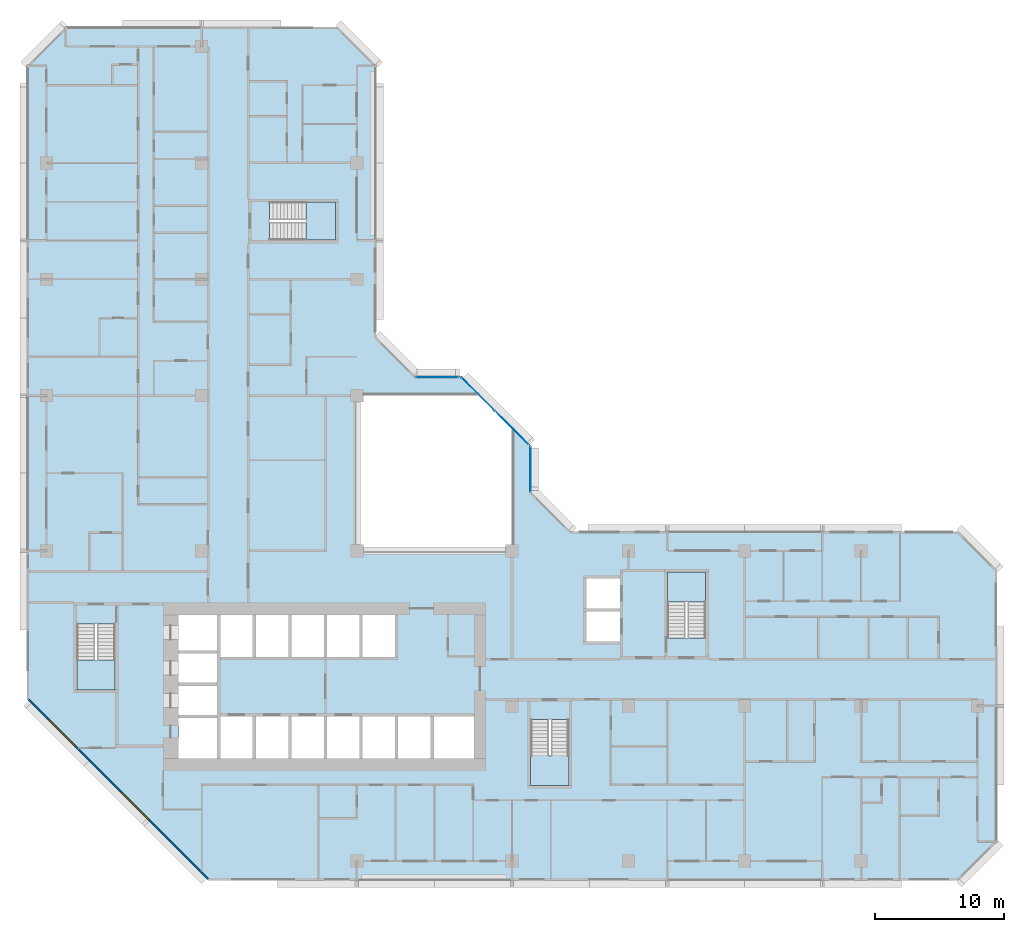
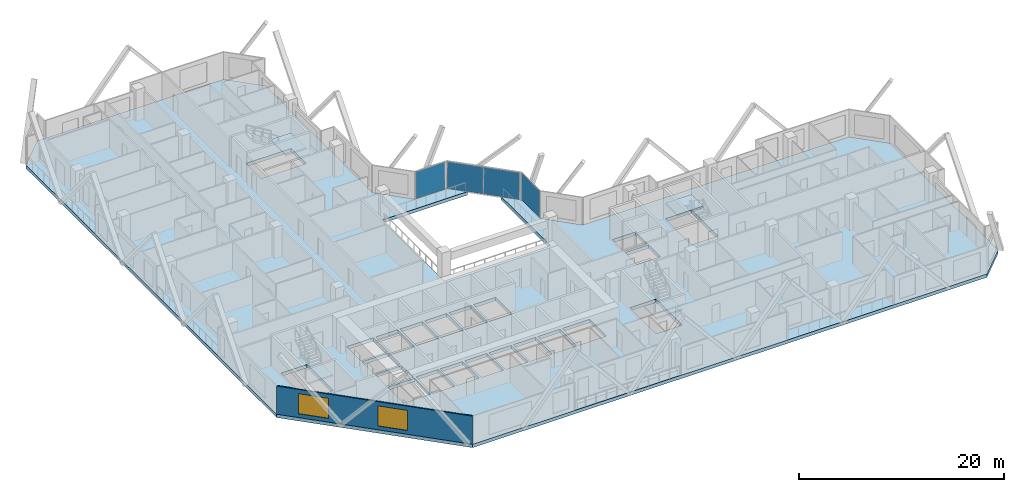
# One storey, part 3 of 15: 5 slabs, 4 plates, 2 windows, 1 wall, 2 openings, 7 elements without a shape of their own.
"""IFC4 building model written with IfcOpenShell, lengths in metres."""

from ifc_helpers import new_model, si_unit, direction, frame, frame_2d, origin, origin_2d, place, context, subcontext, project, spatial, polyline, rectangle, outline, extrude, material, layer, layer_set, type_object, element, fill, aggregate, save


model = new_model("IFC4")

# Units and contexts
model_context = context("Model", 3, precision=1e-05, world=origin(), true_north=direction((0.0, 1.0)))
body_context = subcontext(model_context, "Body", "Model", "MODEL_VIEW")
ifc_project = project(units=[si_unit("LENGTHUNIT", "METRE"), si_unit("AREAUNIT", "SQUARE_METRE"), si_unit("VOLUMEUNIT", "CUBIC_METRE"), si_unit("PLANEANGLEUNIT", "RADIAN"), si_unit("MASSUNIT", "GRAM", prefix="KILO")], contexts=[model_context])

# Site, building, storey
site_placement = place(None, origin())
site = spatial("IfcSite", under=ifc_project, at=site_placement, CompositionType="ELEMENT")
building_placement = place(site_placement, origin())
building = spatial("IfcBuilding", under=site, at=building_placement, Name="Chenar Terraces", CompositionType="ELEMENT")
storey_placement = place(building_placement, frame((0.0, 0.0, 121.89990234375)))
storey = spatial("IfcBuildingStorey", under=building, at=storey_placement, Name="L28", CompositionType="ELEMENT", Elevation=121.89990234375)

# Curtain wall, plate
ifc_material_1 = material(Name="Aluminium framed glazing", Category="aluminium")
ifc_layer_1 = layer(ifc_material_1, 0.14990234375)
ifc_layer_set_1 = layer_set([ifc_layer_1], Name="Aluminium framed glazing")
curtain_wall_type = type_object("IfcCurtainWallType", Name="Atrium curtain wall", PredefinedType="NOTDEFINED", material=ifc_layer_set_1)
placement_1 = place(storey_placement, origin())
curtain_wall_1 = element("IfcCurtainWall", 1, at=placement_1, inside=storey, type_object=curtain_wall_type, Name="Atrium curtain wall", PredefinedType="NOTDEFINED")
ifc_material_2 = material(Name="Low emissivity laminated glass, solar control coating", Category="glass")
ifc_layer_2 = layer(ifc_material_2, 0.028076171875)
ifc_layer_set_2 = layer_set([ifc_layer_2], Name="Low emissivity laminated glass, solar control coating")
plate_type = type_object("IfcPlateType", Name="Atrium glazing panel 28", PredefinedType="CURTAIN_PANEL", material=ifc_layer_set_2)
plate_1_placement = place(storey_placement, frame((37.425048828125, 30.300048828125, 0.06005859375), z_axis=(0.0, 0.0, 1.0), x_axis=(0.0, 1.0, 0.0)))
plate_1 = element("IfcPlate", 2, at=plate_1_placement, type_object=plate_type, Name="CW1-1 panel 1.1", PredefinedType="CURTAIN_PANEL", context=body_context, shape_type="SweptSolid", body=[
    extrude(rectangle(XDim=3.47998046875, YDim=0.028076171875, at=origin_2d()), origin(), (0.0, 0.0, 1.0), 3.22998046875),
])
aggregate(curtain_wall_1, [plate_1])

# Curtain wall, plates
curtain_wall_2 = element("IfcCurtainWall", 3, at=placement_1, inside=storey, type_object=curtain_wall_type, Name="Atrium curtain wall", PredefinedType="NOTDEFINED")
plate_2_placement = place(storey_placement, frame((35.980224609375, 33.513671875, 0.06005859375), z_axis=(0.0, 0.0, 1.0), x_axis=(-0.707106781187, 0.707106781187, 0.0)))
plate_2 = element("IfcPlate", 4, at=plate_2_placement, type_object=plate_type, Name="CW1-2 panel 1.1", PredefinedType="CURTAIN_PANEL", context=body_context, shape_type="SweptSolid", body=[
    extrude(rectangle(XDim=3.62841796875, YDim=0.028076171875, at=origin_2d()), origin(), (0.0, 0.0, 1.0), 3.22998046875),
])
plate_3_placement = place(storey_placement, frame((33.3720703125, 36.121826171875, 0.06005859375), z_axis=(0.0, 0.0, 1.0), x_axis=(-0.707106781187, 0.707106781187, 0.0)))
plate_3 = element("IfcPlate", 5, at=plate_3_placement, type_object=plate_type, Name="CW1-2 panel 2.1", PredefinedType="CURTAIN_PANEL", context=body_context, shape_type="SweptSolid", body=[
    extrude(rectangle(XDim=3.62841796875, YDim=0.028076171875, at=origin_2d()), origin(), (0.0, 0.0, 1.0), 3.22998046875),
])
aggregate(curtain_wall_2, [plate_2, plate_3])

# Curtain wall, plate
curtain_wall_3 = element("IfcCurtainWall", 6, at=placement_1, inside=storey, type_object=curtain_wall_type, Name="Atrium curtain wall", PredefinedType="NOTDEFINED")
plate_4_placement = place(storey_placement, frame((30.199951171875, 37.425048828125, 0.06005859375), z_axis=(0.0, 0.0, 1.0), x_axis=(-1.0, 0.0, 0.0)))
plate_4 = element("IfcPlate", 7, at=plate_4_placement, type_object=plate_type, Name="CW1-3 panel 1.1", PredefinedType="CURTAIN_PANEL", context=body_context, shape_type="SweptSolid", body=[
    extrude(rectangle(XDim=3.280029296875, YDim=0.028076171875, at=origin_2d()), origin(), (0.0, 0.0, 1.0), 3.22998046875),
])
aggregate(curtain_wall_3, [plate_4])

# Stair, slab
ifc_material_3 = material(Name="Reinforced concrete C40/50", Category="concrete")
stair_type = type_object("IfcStairType", Name="Core stair 1400 half-turn", PredefinedType="HALF_TURN_STAIR", material=ifc_material_3)
stair_1 = element("IfcStair", 8, at=placement_1, inside=storey, type_object=stair_type, Name="L28 Stair 1", PredefinedType="HALF_TURN_STAIR")
ifc_material_4 = material(Name="Reinforced concrete C40/50", Category="concrete")
ifc_layer_3 = layer(ifc_material_4, 0.199951171875)
ifc_layer_set_3 = layer_set([ifc_layer_3], Name="Reinforced concrete C40/50")
slab_type_1 = type_object("IfcSlabType", Name="Core stair landing 200", PredefinedType="LANDING", material=ifc_layer_set_3)
placement_2 = place(storey_placement, frame((0.0, 0.0, 1.675048828125)))
slab_1 = element("IfcSlab", 9, at=placement_2, type_object=slab_type_1, Name="ST1 landing 1", PredefinedType="LANDING", context=body_context, shape_type="SweptSolid", body=[
    extrude(outline(polyline([(2.35009765625, 15.550048828125), (2.35009765625, 13.25), (5.300048828125, 13.25), (5.300048828125, 15.550048828125), (2.35009765625, 15.550048828125)])), origin(), (0.0, 0.0, 1.0), 0.199951171875),
])
aggregate(stair_1, [slab_1])

stair_2 = element("IfcStair", 10, at=placement_1, inside=storey, type_object=stair_type, Name="L28 Stair 2", PredefinedType="HALF_TURN_STAIR")
slab_2 = element("IfcSlab", 11, at=placement_2, type_object=slab_type_1, Name="ST2 landing 1", PredefinedType="LANDING", context=body_context, shape_type="SweptSolid", body=[
    extrude(outline(polyline([(37.449951171875, 8.14990234375), (37.449951171875, 5.85009765625), (40.39990234375, 5.85009765625), (40.39990234375, 8.14990234375), (37.449951171875, 8.14990234375)])), origin(), (0.0, 0.0, 1.0), 0.199951171875),
])
aggregate(stair_2, [slab_2])

stair_3 = element("IfcStair", 12, at=placement_1, inside=storey, type_object=stair_type, Name="L28 Stair 3", PredefinedType="HALF_TURN_STAIR")
slab_3 = element("IfcSlab", 13, at=placement_2, type_object=slab_type_1, Name="ST3 landing 1", PredefinedType="LANDING", context=body_context, shape_type="SweptSolid", body=[
    extrude(outline(polyline([(50.97509765625, 20.050048828125), (50.97509765625, 22.35009765625), (48.02490234375, 22.35009765625), (48.02490234375, 20.050048828125), (50.97509765625, 20.050048828125)])), origin(), (0.0, 0.0, 1.0), 0.199951171875),
])
aggregate(stair_3, [slab_3])

stair_4 = element("IfcStair", 14, at=placement_1, inside=storey, type_object=stair_type, Name="L28 Stair 4", PredefinedType="HALF_TURN_STAIR")
slab_4 = element("IfcSlab", 15, at=placement_2, type_object=slab_type_1, Name="ST4 landing 1", PredefinedType="LANDING", context=body_context, shape_type="SweptSolid", body=[
    extrude(outline(polyline([(20.050048828125, 48.02490234375), (22.35009765625, 48.02490234375), (22.35009765625, 50.97509765625), (20.050048828125, 50.97509765625), (20.050048828125, 48.02490234375)])), origin(), (0.0, 0.0, 1.0), 0.199951171875),
])
aggregate(stair_4, [slab_4])

# Slab
ifc_material_5 = material(Name="Concrete C40/50", Category="concrete")
ifc_layer_4 = layer(ifc_material_5, 0.39990234375)
ifc_layer_set_4 = layer_set([ifc_layer_4], Name="Concrete C40/50")
slab_type_2 = type_object("IfcSlabType", Name="Floor slab 400 Concrete C40/50", PredefinedType="FLOOR", material=ifc_layer_set_4)
slab_5_placement = place(storey_placement, frame((0.0, 0.0, -0.39990234375)))
element("IfcSlab", 16, at=slab_5_placement, inside=storey, type_object=slab_type_2, Name="Floor slab L28", PredefinedType="FLOOR", context=body_context, shape_type="SweptSolid", body=[
    extrude(outline(polyline([(73.5, 22.5), (73.5, 1.5), (70.5, -1.5), (12.5, -1.5), (-1.5, 12.5), (-1.5, 61.5), (1.5, 64.5), (22.5, 64.5), (25.5, 61.5), (25.5, 40.5), (28.5, 37.5), (32.10009765625, 37.5), (33.60009765625, 36.0), (24.0, 36.0), (24.0, 24.0), (36.0, 24.0), (36.0, 33.60009765625), (37.5, 32.10009765625), (37.5, 28.5), (40.5, 25.5), (70.5, 25.5), (73.5, 22.5)]), holes=[polyline([(13.199951171875, 11.050048828125), (10.199951171875, 11.050048828125), (10.199951171875, 7.949951171875), (13.199951171875, 7.949951171875), (13.199951171875, 11.050048828125)]), polyline([(15.949951171875, 11.199951171875), (13.449951171875, 11.199951171875), (13.449951171875, 7.949951171875), (15.949951171875, 7.949951171875), (15.949951171875, 11.199951171875)]), polyline([(18.699951171875, 11.199951171875), (16.199951171875, 11.199951171875), (16.199951171875, 7.949951171875), (18.699951171875, 7.949951171875), (18.699951171875, 11.199951171875)]), polyline([(21.449951171875, 7.949951171875), (21.449951171875, 11.199951171875), (18.949951171875, 11.199951171875), (18.949951171875, 7.949951171875), (21.449951171875, 7.949951171875)]), polyline([(13.199951171875, 11.300048828125), (13.199951171875, 13.550048828125), (10.199951171875, 13.550048828125), (10.199951171875, 11.300048828125), (13.199951171875, 11.300048828125)]), polyline([(13.199951171875, 16.050048828125), (10.199951171875, 16.050048828125), (10.199951171875, 13.800048828125), (13.199951171875, 13.800048828125), (13.199951171875, 16.050048828125)]), polyline([(2.35009765625, 18.35009765625), (2.35009765625, 13.25), (5.300048828125, 13.25), (5.300048828125, 18.35009765625), (2.35009765625, 18.35009765625)]), polyline([(15.949951171875, 15.800048828125), (15.949951171875, 19.050048828125), (13.449951171875, 19.050048828125), (13.449951171875, 15.800048828125), (15.949951171875, 15.800048828125)]), polyline([(18.699951171875, 19.050048828125), (16.199951171875, 19.050048828125), (16.199951171875, 15.800048828125), (18.699951171875, 15.800048828125), (18.699951171875, 19.050048828125)]), polyline([(21.449951171875, 15.800048828125), (21.449951171875, 19.050048828125), (18.949951171875, 19.050048828125), (18.949951171875, 15.800048828125), (21.449951171875, 15.800048828125)]), polyline([(13.199951171875, 16.300048828125), (13.199951171875, 19.050048828125), (10.199951171875, 19.050048828125), (10.199951171875, 16.300048828125), (13.199951171875, 16.300048828125)]), polyline([(22.35009765625, 48.02490234375), (22.35009765625, 50.97509765625), (17.25, 50.97509765625), (17.25, 48.02490234375), (22.35009765625, 48.02490234375)]), polyline([(37.449951171875, 10.949951171875), (37.449951171875, 5.85009765625), (40.39990234375, 5.85009765625), (40.39990234375, 10.949951171875), (37.449951171875, 10.949951171875)]), polyline([(24.199951171875, 7.949951171875), (24.199951171875, 11.199951171875), (21.699951171875, 11.199951171875), (21.699951171875, 7.949951171875), (24.199951171875, 7.949951171875)]), polyline([(26.949951171875, 11.199951171875), (24.449951171875, 11.199951171875), (24.449951171875, 7.949951171875), (26.949951171875, 7.949951171875), (26.949951171875, 11.199951171875)]), polyline([(29.699951171875, 7.949951171875), (29.699951171875, 11.199951171875), (27.199951171875, 11.199951171875), (27.199951171875, 7.949951171875), (29.699951171875, 7.949951171875)]), polyline([(33.050048828125, 7.949951171875), (33.050048828125, 11.199951171875), (29.949951171875, 11.199951171875), (29.949951171875, 7.949951171875), (33.050048828125, 7.949951171875)]), polyline([(24.199951171875, 19.050048828125), (21.699951171875, 19.050048828125), (21.699951171875, 15.800048828125), (24.199951171875, 15.800048828125), (24.199951171875, 19.050048828125)]), polyline([(26.949951171875, 15.800048828125), (26.949951171875, 19.050048828125), (24.449951171875, 19.050048828125), (24.449951171875, 15.800048828125), (26.949951171875, 15.800048828125)]), polyline([(44.35009765625, 17.0), (44.35009765625, 19.300048828125), (41.75, 19.300048828125), (41.75, 17.0), (44.35009765625, 17.0)]), polyline([(50.97509765625, 22.35009765625), (48.02490234375, 22.35009765625), (48.02490234375, 17.25), (50.97509765625, 17.25), (50.97509765625, 22.35009765625)]), polyline([(44.35009765625, 19.550048828125), (44.35009765625, 21.85009765625), (41.75, 21.85009765625), (41.75, 19.550048828125), (44.35009765625, 19.550048828125)])]), origin(), (0.0, 0.0, 1.0), 0.39990234375),
])

# Wall, openings, windows
ifc_material_6 = material(Name="Terracotta cladding on insulated backing", Category="masonry")
ifc_layer_5 = layer(ifc_material_6, 0.14990234375)
ifc_layer_set_5 = layer_set([ifc_layer_5], Name="Terracotta cladding on insulated backing")
wall_type = type_object("IfcWallType", Name="Terracotta rainscreen wall 150", PredefinedType="SOLIDWALL", material=ifc_layer_set_5)
wall_placement = place(storey_placement, frame((-1.447021484375, 12.552978515625, 0.0), z_axis=(0.0, 0.0, 1.0), x_axis=(0.707106781187, -0.707106781187, 0.0)))
wall = element("IfcWall", 17, at=wall_placement, inside=storey, type_object=wall_type, Name="Terracotta rainscreen wall", PredefinedType="SOLIDWALL", context=body_context, shape_type="SweptSolid", body=[
    extrude(rectangle(XDim=19.799072265625, YDim=0.14990234375, at=frame_2d((9.8994140625, 0.0))), origin(), (0.0, 0.0, 1.0), 3.35009765625),
])
opening_1_placement = place(wall_placement, frame((2.21240234375, 0.0, 0.449951171875)))
opening_1 = element("IfcOpeningElement", 18, at=opening_1_placement, cuts=wall, Name="Opening W300x240", PredefinedType="OPENING", context=body_context, shape_type="SweptSolid", body=[
    extrude(rectangle(XDim=3.0, YDim=2.39990234375, at=frame_2d((1.5, 1.199951171875))), frame((0.0, 0.0849609375, 0.0), z_axis=(0.0, -1.0, 0.0), x_axis=(1.0, 0.0, 0.0)), (0.0, 0.0, 1.0), 0.169921875),
])
opening_2_placement = place(wall_placement, frame((10.215576171875, 0.0, 0.449951171875)))
opening_2 = element("IfcOpeningElement", 19, at=opening_2_placement, cuts=wall, Name="Opening W300x240", PredefinedType="OPENING", context=body_context, shape_type="SweptSolid", body=[
    extrude(rectangle(XDim=3.0, YDim=2.39990234375, at=frame_2d((1.5, 1.199951171875))), frame((0.0, 0.0849609375, 0.0), z_axis=(0.0, -1.0, 0.0), x_axis=(1.0, 0.0, 0.0)), (0.0, 0.0, 1.0), 0.169921875),
])
ifc_material_7 = material(Name="Low emissivity double glazing, aluminium frame", Category="aluminium")
window_type = type_object("IfcWindowType", Name="Fixed light 3000 x 2400", PartitioningType="SINGLE_PANEL", PredefinedType="WINDOW", material=ifc_material_7)
window_1_placement = place(opening_1_placement, origin())
window_1 = element("IfcWindow", 20, at=window_1_placement, inside=storey, type_object=window_type, Name="Window", OverallHeight=2.39990234375, OverallWidth=3.0, PartitioningType="SINGLE_PANEL", PredefinedType="WINDOW", context=body_context, shape_type="SweptSolid", body=[
    extrude(rectangle(XDim=3.0, YDim=2.39990234375, at=frame_2d((1.5, 1.199951171875))), frame((0.0, 0.030029296875, 0.0), z_axis=(0.0, -1.0, 0.0), x_axis=(1.0, 0.0, 0.0)), (0.0, 0.0, 1.0), 0.06005859375),
])
fill(opening_1, window_1)
window_2_placement = place(opening_2_placement, origin())
window_2 = element("IfcWindow", 21, at=window_2_placement, inside=storey, type_object=window_type, Name="Window", OverallHeight=2.39990234375, OverallWidth=3.0, PartitioningType="SINGLE_PANEL", PredefinedType="WINDOW", context=body_context, shape_type="SweptSolid", body=[
    extrude(rectangle(XDim=3.0, YDim=2.39990234375, at=frame_2d((1.5, 1.199951171875))), frame((0.0, 0.030029296875, 0.0), z_axis=(0.0, -1.0, 0.0), x_axis=(1.0, 0.0, 0.0)), (0.0, 0.0, 1.0), 0.06005859375),
])
fill(opening_2, window_2)

save(model, "model.ifc")
